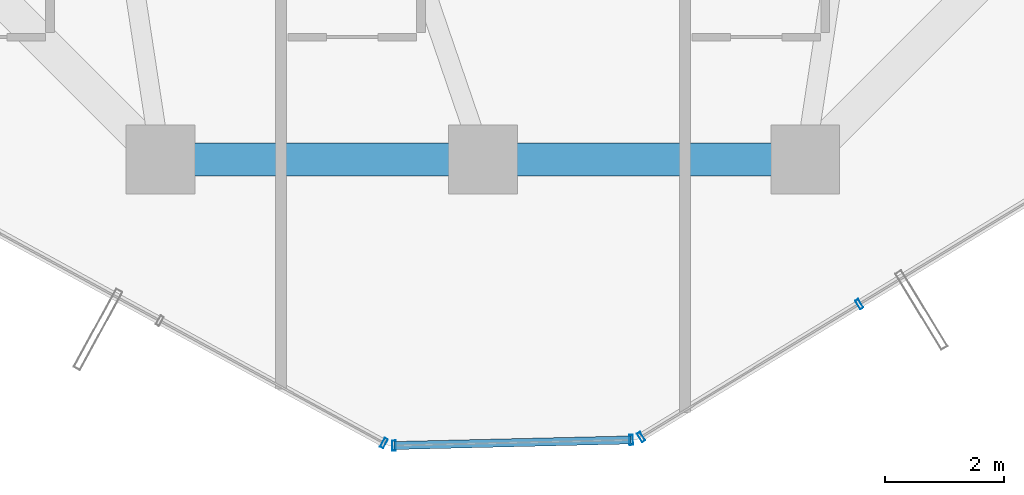
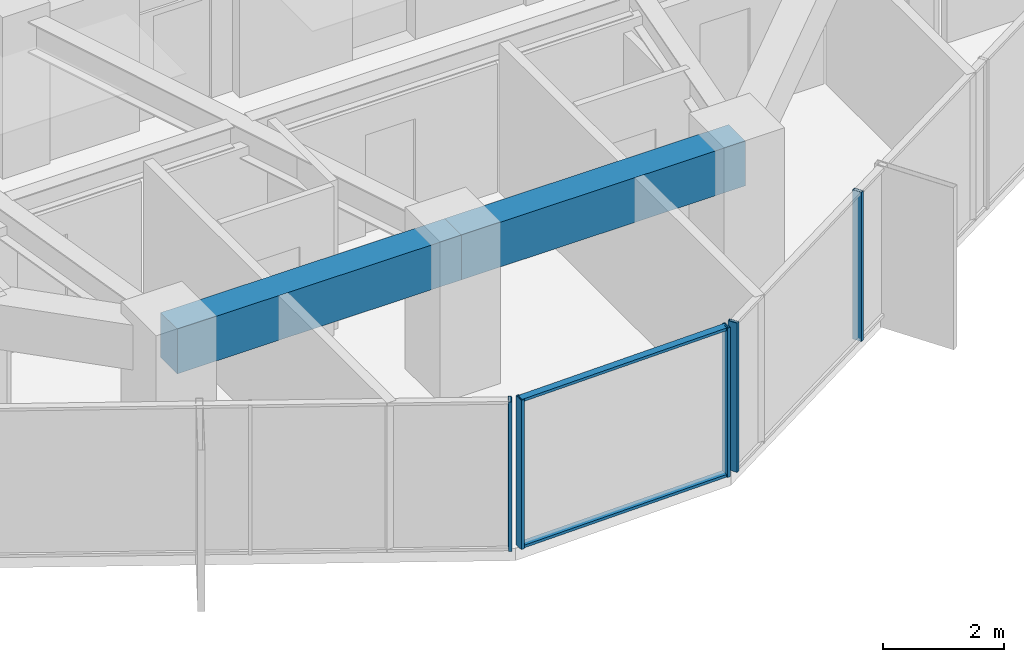
# One storey, part 6 of 31: 7 members, 2 beams, 3 elements without a shape of their own.
"""IFC4 building model written with IfcOpenShell, lengths in metres."""

import ifcopenshell
import ifcopenshell.guid

model = None  # the IFC model being written
_history = None  # IfcOwnerHistory: only IFC2X3 demands one
_inside = {}  # id of a spatial element -> (the spatial element, [elements in it])
_under = {}  # id of a project, library or spatial element -> (it, [spatial elements below it])
_declared = {}  # id of a project -> (the project, [libraries it declares])
_typed = {}  # id of a type object -> (the type object, [elements of that type])
_made_of = {}  # id of a material, layer set ... -> (it, [elements and type objects made of it])


def new_model(schema):
    """Start an empty IFC model of exactly this schema.

    Asked for "IFC4X3", IfcOpenShell would pick the latest addendum, in which some entities
    have other attributes; the version numbers below select the first issue.
    IFC2X3 requires an IfcOwnerHistory on every rooted entity: one is made here for all.
    """
    global model, _history
    if schema == "IFC4X3":
        model = ifcopenshell.file(schema_version=(4, 3, 0, 0))
    else:
        model = ifcopenshell.file(schema=schema)
    _inside.clear()
    _under.clear()
    _declared.clear()
    _typed.clear()
    _made_of.clear()
    _history = None
    if model.schema == "IFC2X3":
        org = make("IfcOrganization", Name="unknown")
        user = make(
            "IfcPersonAndOrganization",
            ThePerson=make("IfcPerson", FamilyName="unknown"),
            TheOrganization=org,
        )
        app = make(
            "IfcApplication",
            ApplicationDeveloper=org,
            Version="unknown",
            ApplicationFullName="unknown",
            ApplicationIdentifier="unknown",
        )
        _history = make(
            "IfcOwnerHistory",
            OwningUser=user,
            OwningApplication=app,
            ChangeAction="ADDED",
            CreationDate=0,
        )
    return model


def make(cls, **values):
    """One entity of the class cls with the attributes given. An attribute that is None is left unset."""
    return model.create_entity(
        cls, **{name: value for name, value in values.items() if value is not None}
    )


def rooted(cls, **values):
    """An entity with a GlobalId (a new one), such as an element, a storey or a relation."""
    return make(cls, GlobalId=ifcopenshell.guid.new(), OwnerHistory=_history, **values)


def si_unit(unit_type, name, prefix=None):
    """IfcSIUnit, for example si_unit("LENGTHUNIT", "METRE", prefix="MILLI")."""
    return make("IfcSIUnit", UnitType=unit_type, Prefix=prefix, Name=name)


def assignment(units):
    """IfcUnitAssignment: the units of a project."""
    return None if units is None else make("IfcUnitAssignment", Units=units)


def point(xyz):
    """IfcCartesianPoint."""
    return None if xyz is None else make("IfcCartesianPoint", Coordinates=xyz)


def direction(xyz):
    """IfcDirection."""
    return None if xyz is None else make("IfcDirection", DirectionRatios=xyz)


def frame(location, z_axis=None, x_axis=None):
    """IfcAxis2Placement3D, a coordinate frame: its origin and axes. An axis left out is left unset."""
    return make(
        "IfcAxis2Placement3D",
        Location=point(location),
        Axis=direction(z_axis),
        RefDirection=direction(x_axis),
    )


def frame_2d(location, x_axis=None):
    """IfcAxis2Placement2D, a coordinate frame in the plane: its origin and x axis."""
    return make(
        "IfcAxis2Placement2D", Location=point(location), RefDirection=direction(x_axis)
    )


def origin():
    """The frame at (0, 0, 0) with its axes left unset."""
    return frame((0.0, 0.0, 0.0))


def origin_2d():
    """The frame at (0, 0) in the plane with its x axis left unset."""
    return frame_2d((0.0, 0.0))


def place(relative_to, where):
    """IfcLocalPlacement: puts the frame where relative to a parent placement (None: the world)."""
    return make(
        "IfcLocalPlacement", PlacementRelTo=relative_to, RelativePlacement=where
    )


def context(
    kind, dimensions, precision=None, world=None, true_north=None, identifier=None
):
    """IfcGeometricRepresentationContext, for example the 3D "Model" context."""
    return make(
        "IfcGeometricRepresentationContext",
        ContextIdentifier=identifier,
        ContextType=kind,
        CoordinateSpaceDimension=dimensions,
        Precision=precision,
        WorldCoordinateSystem=world,
        TrueNorth=true_north,
    )


def subcontext(parent, identifier, kind, view, scale=None):
    """IfcGeometricRepresentationSubContext, for example "Body" below "Model"."""
    return make(
        "IfcGeometricRepresentationSubContext",
        ContextIdentifier=identifier,
        ContextType=kind,
        ParentContext=parent,
        TargetScale=scale,
        TargetView=view,
    )


def project(units=None, contexts=None):
    """IfcProject with its units and contexts."""
    return rooted(
        "IfcProject",
        Name="project",
        RepresentationContexts=contexts,
        UnitsInContext=assignment(units),
    )


def spatial(cls, under=None, at=None, **own):
    """A site, building, storey or space (cls), placed at a placement, below another one or the project."""
    s = rooted(cls, ObjectPlacement=at, **own)
    if under is not None:
        _under.setdefault(under.id(), (under, []))[1].append(s)
    return s


def profile(cls, at=None, kind="AREA", **sizes):
    """A parametric profile (cls). Its sizes go by their IFC names, for example OverallWidth=200.0."""
    return make(cls, ProfileType=kind, Position=at, **sizes)


def rectangle(**sizes):
    """IfcRectangleProfileDef."""
    return profile("IfcRectangleProfileDef", **sizes)


def hollow_rectangle(**sizes):
    """IfcRectangleHollowProfileDef."""
    return profile("IfcRectangleHollowProfileDef", **sizes)


def extrude(swept, where, along, depth):
    """IfcExtrudedAreaSolid: the profile swept, set in the frame where, extruded along a direction by depth."""
    return make(
        "IfcExtrudedAreaSolid",
        SweptArea=swept,
        Position=where,
        ExtrudedDirection=direction(along),
        Depth=depth,
    )


def shape(context_of_items, identifier, shape_type, items):
    """IfcShapeRepresentation: the items that make up one representation, for example the "Body"."""
    return make(
        "IfcShapeRepresentation",
        ContextOfItems=context_of_items,
        RepresentationIdentifier=identifier,
        RepresentationType=shape_type,
        Items=items,
    )


def source(mapping_origin, context_of_items, identifier, shape_type, items):
    """IfcRepresentationMap: a shape defined once, which mapped items show again and again."""
    return make(
        "IfcRepresentationMap",
        MappingOrigin=mapping_origin,
        MappedRepresentation=shape(context_of_items, identifier, shape_type, items),
    )


def transform(
    local_origin,
    x_axis=None,
    y_axis=None,
    z_axis=None,
    scale=None,
    scale2=None,
    scale3=None,
    uniform=True,
):
    """IfcCartesianTransformationOperator3D, or its non-uniform kind. x_axis, y_axis, z_axis: its Axis1, 2, 3."""
    if uniform:
        return make(
            "IfcCartesianTransformationOperator3D",
            Axis1=direction(x_axis),
            Axis2=direction(y_axis),
            LocalOrigin=point(local_origin),
            Scale=scale,
            Axis3=direction(z_axis),
        )
    return make(
        "IfcCartesianTransformationOperator3DnonUniform",
        Axis1=direction(x_axis),
        Axis2=direction(y_axis),
        LocalOrigin=point(local_origin),
        Scale=scale,
        Axis3=direction(z_axis),
        Scale2=scale2,
        Scale3=scale3,
    )


def mapped(mapping_source, mapping_target):
    """IfcMappedItem: shows the shape of a source again, moved by a transform."""
    return make(
        "IfcMappedItem", MappingSource=mapping_source, MappingTarget=mapping_target
    )


def material(Name=None, Category=None):
    """IfcMaterial."""
    return make("IfcMaterial", Name=Name, Category=Category)


def layer(
    of_material, thickness, ventilated=None, Name=None, Category=None, Priority=None
):
    """IfcMaterialLayer: one layer of a wall or slab, of a material (None: an air gap)."""
    return make(
        "IfcMaterialLayer",
        Material=of_material,
        LayerThickness=thickness,
        IsVentilated=ventilated,
        Name=Name,
        Category=Category,
        Priority=Priority,
    )


def layer_set(layers, Name=None):
    """IfcMaterialLayerSet."""
    return make("IfcMaterialLayerSet", MaterialLayers=layers, LayerSetName=Name)


def material_profile(
    of_material, cross_section, Name=None, Category=None, Priority=None
):
    """IfcMaterialProfile: a cross section and its material."""
    return make(
        "IfcMaterialProfile",
        Name=Name,
        Material=of_material,
        Profile=cross_section,
        Priority=Priority,
        Category=Category,
    )


def profile_set(profiles, Name=None, composite=None):
    """IfcMaterialProfileSet."""
    return make(
        "IfcMaterialProfileSet",
        Name=Name,
        MaterialProfiles=profiles,
        CompositeProfile=composite,
    )


def made_of(thing, what):
    """Note that an element or type object is made of a material, layer set ...; save() writes the relation."""
    if what is not None:
        _made_of.setdefault(what.id(), (what, []))[1].append(thing)
    return thing


def type_object(cls, material=None, **own):
    """A type object (cls), such as IfcWallType, which elements share."""
    return made_of(rooted(cls, **own), material)


def element(
    cls,
    number,
    at=None,
    inside=None,
    cuts=None,
    type_object=None,
    material=None,
    context=None,
    identifier="Body",
    shape_type=None,
    held_by="IfcProductDefinitionShape",
    body=None,
    shapes=None,
    **own,
):
    """One element of the class cls, such as IfcWall. Its Tag is "e" and its number.

    at: its placement. inside: the storey or other place that contains it. cuts: it is an
    opening in that element (IfcRelVoidsElement). A single representation is given by context,
    identifier, shape_type and body (its items); several are given by shapes. held_by: the class
    of the entity that holds the representations. save() writes the other relations.
    """
    e = rooted(cls, Tag="e%d" % number, ObjectPlacement=at, **own)
    if body is not None:
        shapes = [shape(context, identifier, shape_type, body)]
    if shapes is not None:
        e.Representation = make(held_by, Representations=shapes)
    if inside is not None:
        _inside.setdefault(inside.id(), (inside, []))[1].append(e)
    if cuts is not None:
        rooted(
            "IfcRelVoidsElement", RelatingBuildingElement=cuts, RelatedOpeningElement=e
        )
    if type_object is not None:
        _typed.setdefault(type_object.id(), (type_object, []))[1].append(e)
    return made_of(e, material)


def aggregate(whole, parts):
    """IfcRelAggregates: a whole, such as a stair, and the parts it consists of."""
    return rooted("IfcRelAggregates", RelatingObject=whole, RelatedObjects=parts)


def save(model, path):
    """Write the relations noted so far, then the file.

    IfcRelAggregates (storeys below a building ...), IfcRelContainedInSpatialStructure (elements
    in a storey), IfcRelDefinesByType, IfcRelAssociatesMaterial and IfcRelDeclares: one each for
    every whole, place, type object, material and project.
    """
    for whole, parts in _under.values():
        aggregate(whole, parts)
    for where, things in _inside.values():
        rooted(
            "IfcRelContainedInSpatialStructure",
            RelatedElements=things,
            RelatingStructure=where,
        )
    for kind, things in _typed.values():
        rooted("IfcRelDefinesByType", RelatedObjects=things, RelatingType=kind)
    for what, things in _made_of.values():
        rooted("IfcRelAssociatesMaterial", RelatedObjects=things, RelatingMaterial=what)
    for by, libraries in _declared.values():
        rooted("IfcRelDeclares", RelatingContext=by, RelatedDefinitions=libraries)
    model.write(path)


model = new_model("IFC4")

# Units and contexts
model_context = context("Model", 3, precision=1e-05, world=origin(), true_north=direction((0.0, 1.0)))
body_context = subcontext(model_context, "Body", "Model", "MODEL_VIEW")
ifc_project = project(units=[si_unit("LENGTHUNIT", "METRE"), si_unit("AREAUNIT", "SQUARE_METRE"), si_unit("VOLUMEUNIT", "CUBIC_METRE"), si_unit("PLANEANGLEUNIT", "RADIAN"), si_unit("MASSUNIT", "GRAM", prefix="KILO")], contexts=[model_context])

# Site, building, storey
site_placement = place(None, origin())
site = spatial("IfcSite", under=ifc_project, at=site_placement, CompositionType="ELEMENT")
building_placement = place(site_placement, origin())
building = spatial("IfcBuilding", under=site, at=building_placement, Name="Veraguas Prism Commons", CompositionType="ELEMENT")
storey_placement = place(building_placement, frame((0.0, 0.0, 132.75)))
storey = spatial("IfcBuildingStorey", under=building, at=storey_placement, Name="L37", CompositionType="ELEMENT", Elevation=132.75)

# Beams
ifc_material_1 = material(Name="Concrete C50/60", Category="concrete")
ifc_material_profile_1 = material_profile(ifc_material_1, rectangle(XDim=0.550048828125, YDim=0.89990234375, at=origin_2d()), Name="RC550X900")
ifc_profile_set_1 = profile_set([ifc_material_profile_1], Name="Concrete C50/60")
beam_type = type_object("IfcBeamType", Name="Perimeter Spandrel Lower RC 550x900", PredefinedType="SPANDREL", material=ifc_profile_set_1)
for number, where, z_axis, x_axis, name in (
    (1, (18.60009765625, 7.800048828125, 2.550048828125), (1.0, 0.0, 0.0), (0.0, 1.0, 0.0), "Perimeter Spandrel Beam L37-SP10"),
    (2, (24.0, 7.800048828125, 2.550048828125), (1.0, 0.0, 0.0), (0.0, 1.0, 0.0), "Perimeter Spandrel Beam L37-SP11"),
):
    element("IfcBeam", number, at=place(storey_placement, frame(where, z_axis=z_axis, x_axis=x_axis)), inside=storey, type_object=beam_type, Name=name, PredefinedType="SPANDREL", context=body_context, shape_type="SweptSolid", body=[
        extrude(rectangle(XDim=0.550048828125, YDim=0.89990234375, at=origin_2d()), origin(), (0.0, 0.0, 1.0), 5.39990234375),
    ])

# Curtain wall, member
ifc_material_2 = material(Name="Anodised aluminium EN AW-6063 T6", Category="aluminium")
ifc_layer = layer(ifc_material_2, 0.169921875, Name="Unitised Flush Curtain Wall Zone 2", Category="aluminium")
ifc_layer_set = layer_set([ifc_layer], Name="Anodised aluminium EN AW-6063 T6")
curtain_wall_type = type_object("IfcCurtainWallType", Name="Unitised Flush Curtain Wall Zone 2", PredefinedType="NOTDEFINED", material=ifc_layer_set)
curtain_wall_1_placement = place(storey_placement, origin())
curtain_wall_1 = element("IfcCurtainWall", 3, at=curtain_wall_1_placement, inside=storey, type_object=curtain_wall_type, Name="Tower Facade Curtain Wall L37-F4", PredefinedType="NOTDEFINED")
ifc_material_profile_2 = material_profile(ifc_material_2, hollow_rectangle(XDim=0.06005859375, YDim=0.169921875, WallThickness=0.00390625, at=origin_2d()), Name="AL60X170X4")
ifc_profile_set_2 = profile_set([ifc_material_profile_2], Name="Anodised aluminium EN AW-6063 T6")
member_type_1 = type_object("IfcMemberType", Name="Curtain Wall Mullion Lower AL 60x170x4", PredefinedType="MULLION", material=ifc_profile_set_2)
shared_shape_1 = source(origin(), body_context, "Body", "SweptSolid", [
    extrude(hollow_rectangle(XDim=0.06005859375, YDim=0.169921875, WallThickness=0.00390625, at=origin_2d()), origin(), (0.0, 0.0, 1.0), 3.0),
])
member_1_placement = place(storey_placement, frame((22.34228515625, 3.048583984375, 0.0), z_axis=(0.0, 0.0, 1.0), x_axis=(0.877648571535, -0.479304688984, 0.0)))
member_1 = element("IfcMember", 4, at=member_1_placement, type_object=member_type_1, Name="CW-Z2 Mullion 5", PredefinedType="MULLION", context=body_context, shape_type="MappedRepresentation", body=[
    mapped(shared_shape_1, transform((0.0, 0.0, 0.0), scale=1.0)),
])
aggregate(curtain_wall_1, [member_1])

# Curtain wall, members
curtain_wall_2_placement = place(storey_placement, origin())
curtain_wall_2 = element("IfcCurtainWall", 5, at=curtain_wall_2_placement, inside=storey, type_object=curtain_wall_type, Name="Tower Facade Curtain Wall L37-F5", PredefinedType="NOTDEFINED")
member_2_placement = place(storey_placement, frame((26.64990234375, 3.15087890625, 0.0), z_axis=(0.0, 0.0, 1.0), x_axis=(0.853916139162, 0.520410633326, 0.0)))
member_2 = element("IfcMember", 6, at=member_2_placement, type_object=member_type_1, Name="CW-Z2 Mullion 1", PredefinedType="MULLION", context=body_context, shape_type="MappedRepresentation", body=[
    mapped(shared_shape_1, transform((0.0, 0.0, 0.0), scale=1.0)),
])
member_3_placement = place(storey_placement, frame((30.3037109375, 5.37744140625, 0.0), z_axis=(0.0, 0.0, 1.0), x_axis=(0.853916139162, 0.520410633326, 0.0)))
member_3 = element("IfcMember", 7, at=member_3_placement, type_object=member_type_1, Name="CW-Z2 Mullion 2", PredefinedType="MULLION", context=body_context, shape_type="MappedRepresentation", body=[
    mapped(shared_shape_1, transform((0.0, 0.0, 0.0), scale=1.0)),
])
aggregate(curtain_wall_2, [member_2, member_3])

curtain_wall_3_placement = place(storey_placement, origin())
curtain_wall_3 = element("IfcCurtainWall", 8, at=curtain_wall_3_placement, inside=storey, type_object=curtain_wall_type, Name="Chamfer Curtain Wall L37-C5", PredefinedType="NOTDEFINED")
member_4_placement = place(storey_placement, frame((22.51123046875, 3.007568359375, 0.0), z_axis=(0.0, 0.0, 1.0), x_axis=(0.999717847188, 0.023753442163, 0.0)))
member_4 = element("IfcMember", 9, at=member_4_placement, type_object=member_type_1, Name="CW-Z2 Mullion 1", PredefinedType="MULLION", context=body_context, shape_type="MappedRepresentation", body=[
    mapped(shared_shape_1, transform((0.0, 0.0, 0.0), scale=1.0)),
])
member_5_placement = place(storey_placement, frame((26.483154296875, 3.10205078125, 0.0), z_axis=(0.0, 0.0, 1.0), x_axis=(0.999717847188, 0.023753442163, 0.0)))
member_5 = element("IfcMember", 10, at=member_5_placement, type_object=member_type_1, Name="CW-Z2 Mullion 2", PredefinedType="MULLION", context=body_context, shape_type="MappedRepresentation", body=[
    mapped(shared_shape_1, transform((0.0, 0.0, 0.0), scale=1.0)),
])
ifc_material_profile_3 = material_profile(ifc_material_2, hollow_rectangle(XDim=0.054931640625, YDim=0.135009765625, WallThickness=0.0029296875, at=origin_2d()), Name="AL55X135X3")
ifc_profile_set_3 = profile_set([ifc_material_profile_3], Name="Anodised aluminium EN AW-6063 T6")
member_type_2 = type_object("IfcMemberType", Name="Curtain Wall Transom Standard AL 55x135x3", PredefinedType="USERDEFINED", material=ifc_profile_set_3)
shared_shape_2 = source(origin(), body_context, "Body", "SweptSolid", [
    extrude(hollow_rectangle(XDim=0.054931640625, YDim=0.135009765625, WallThickness=0.0029296875, at=origin_2d()), origin(), (0.0, 0.0, 1.0), 3.97314453125),
])
member_6_placement = place(storey_placement, frame((22.51123046875, 3.007568359375, 0.027587890625), z_axis=(0.999717195735, 0.023780844228, 0.0), x_axis=(0.0, 0.0, 1.0)))
member_6 = element("IfcMember", 11, at=member_6_placement, type_object=member_type_2, Name="CW-Z2 Transom 1", ObjectType="TRANSOM", PredefinedType="USERDEFINED", context=body_context, shape_type="MappedRepresentation", body=[
    mapped(shared_shape_2, transform((0.0, 0.0, 0.0), scale=1.0)),
])
member_7_placement = place(storey_placement, frame((22.51123046875, 3.007568359375, 2.972412109375), z_axis=(0.999717195735, 0.023780844228, 0.0), x_axis=(0.0, 0.0, 1.0)))
member_7 = element("IfcMember", 12, at=member_7_placement, type_object=member_type_2, Name="CW-Z2 Transom 2", ObjectType="TRANSOM", PredefinedType="USERDEFINED", context=body_context, shape_type="MappedRepresentation", body=[
    mapped(shared_shape_2, transform((0.0, 0.0, 0.0), scale=1.0)),
])
aggregate(curtain_wall_3, [member_4, member_5, member_6, member_7])

save(model, "model.ifc")
